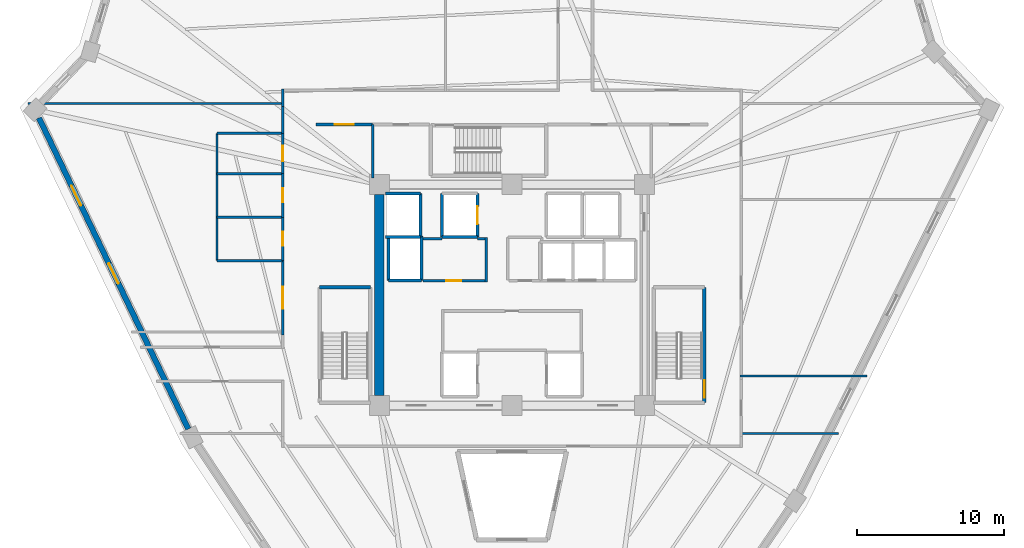
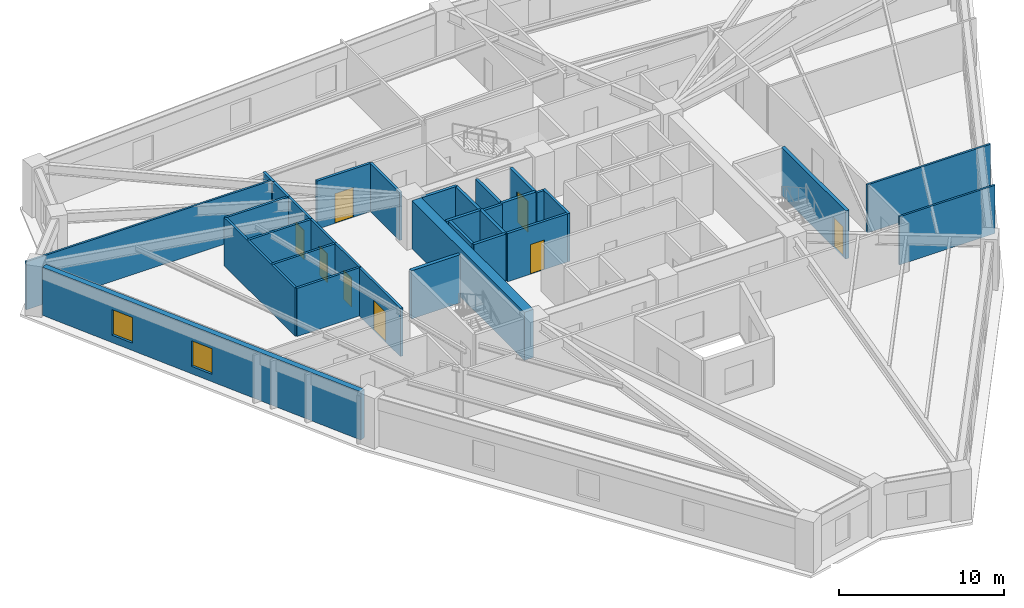
# One storey, part 4 of 8: 33 walls, 8 doors, 2 windows, 10 openings.
"""IFC4 building model written with IfcOpenShell, lengths in metres."""

from ifc_helpers import new_model, si_unit, direction, frame, frame_2d, origin, place, context, subcontext, project, spatial, rectangle, extrude, source, transform, mapped, material, layer, layer_set, type_object, element, fill, save


model = new_model("IFC4")

# Units and contexts
model_context = context("Model", 3, precision=1e-05, world=origin(), true_north=direction((0.0, 1.0)))
body_context = subcontext(model_context, "Body", "Model", "MODEL_VIEW")
ifc_project = project(units=[si_unit("LENGTHUNIT", "METRE"), si_unit("AREAUNIT", "SQUARE_METRE"), si_unit("VOLUMEUNIT", "CUBIC_METRE"), si_unit("PLANEANGLEUNIT", "RADIAN"), si_unit("MASSUNIT", "GRAM", prefix="KILO")], contexts=[model_context])

# Site, building, storey
site_placement = place(None, origin())
site = spatial("IfcSite", under=ifc_project, at=site_placement, CompositionType="ELEMENT")
building_placement = place(site_placement, origin())
building = spatial("IfcBuilding", under=site, at=building_placement, Name="Liaohun Quay Tower", CompositionType="ELEMENT")
storey_placement = place(building_placement, frame((0.0, 0.0, 240.0)))
storey = spatial("IfcBuildingStorey", under=building, at=storey_placement, Name="L62", CompositionType="ELEMENT", Elevation=240.0)

# Wall
ifc_material_1 = material(Name="Concrete C55", Category="concrete")
ifc_layer_1 = layer(ifc_material_1, 0.64990234375, Name="Concrete C55", Category="concrete")
ifc_layer_set_1 = layer_set([ifc_layer_1], Name="Concrete C55")
wall_type_1 = type_object("IfcWallType", Name="WAL-COR-Z3", PredefinedType="SHEAR", material=ifc_layer_set_1)
wall_1_placement = place(storey_placement, frame((51.0, 47.175048828125, 0.0), z_axis=(0.0, 0.0, 1.0), x_axis=(0.0, 1.0, 0.0)))
element("IfcWall", 1, at=wall_1_placement, inside=storey, type_object=wall_type_1, Name="L62 Central Core Shear Wall W", PredefinedType="SHEAR", context=body_context, shape_type="SweptSolid", body=[
    extrude(rectangle(XDim=13.64990234375, YDim=0.64990234375, at=frame_2d((6.824951171875, 0.0))), origin(), (0.0, 0.0, 1.0), 3.570068359375),
])

# Wall, openings, windows
ifc_material_2 = material(Name="Precast concrete C50 insulated sandwich", Category="concrete")
ifc_layer_2 = layer(ifc_material_2, 0.3798828125, Name="Precast concrete C50 insulated sandwich", Category="concrete")
ifc_layer_set_2 = layer_set([ifc_layer_2], Name="Precast concrete C50 insulated sandwich")
wall_type_2 = type_object("IfcWallType", Name="WAL-EXT-Z34", PredefinedType="SOLIDWALL", material=ifc_layer_set_2)
wall_2_placement = place(storey_placement, frame((27.89306640625, 66.02490234375, 0.0), z_axis=(0.0, 0.0, 1.0), x_axis=(0.432777471902, -0.901500781926, 0.0)))
wall_2 = element("IfcWall", 2, at=wall_2_placement, inside=storey, type_object=wall_type_2, Name="L62 Brutalist Precast Pier Wall 10", PredefinedType="SOLIDWALL", context=body_context, shape_type="SweptSolid", body=[
    extrude(rectangle(XDim=23.43212890625, YDim=0.3798828125, at=frame_2d((11.716064453125, 0.0))), origin(), (0.0, 0.0, 1.0), 3.570068359375),
])
shared_shape_1 = source(origin(), body_context, "Body", "SweptSolid", [
    extrude(rectangle(XDim=1.5, YDim=1.89990234375, at=frame_2d((0.75, 0.949951171875))), frame((0.0, 0.199951171875, 0.0), z_axis=(0.0, -1.0, 0.0), x_axis=(1.0, 0.0, 0.0)), (0.0, 0.0, 1.0), 0.39990234375),
])
opening_1_placement = place(wall_2_placement, frame((5.10791015625, 0.0, 0.550048828125)))
opening_1 = element("IfcOpeningElement", 3, at=opening_1_placement, cuts=wall_2, Name="Opening W03", PredefinedType="OPENING", context=body_context, shape_type="MappedRepresentation", body=[
    mapped(shared_shape_1, transform((0.0, 0.0, 0.0), x_axis=(1.0, 0.0, 0.0), y_axis=(0.0, 1.0, 0.0), z_axis=(0.0, 0.0, 1.0), scale=1.0)),
])
opening_2_placement = place(wall_2_placement, frame((10.966064453125, 0.0, 0.550048828125)))
opening_2 = element("IfcOpeningElement", 4, at=opening_2_placement, cuts=wall_2, Name="Opening W03", PredefinedType="OPENING", context=body_context, shape_type="MappedRepresentation", body=[
    mapped(shared_shape_1, transform((0.0, 0.0, 0.0), x_axis=(1.0, 0.0, 0.0), y_axis=(0.0, 1.0, 0.0), z_axis=(0.0, 0.0, 1.0), scale=1.0)),
])
ifc_material_3 = material(Name="Triple Low-E argon glazing in thermally broken aluminium", Category="aluminium")
window_type = type_object("IfcWindowType", Name="WIN-PUN-Z3", PartitioningType="DOUBLE_PANEL_VERTICAL", PredefinedType="WINDOW", material=ifc_material_3)
shared_shape_2 = source(origin(), body_context, "Body", "SweptSolid", [
    extrude(rectangle(XDim=1.5, YDim=1.89990234375, at=frame_2d((0.75, 0.949951171875))), frame((0.0, 0.030029296875, 0.0), z_axis=(0.0, -1.0, 0.0), x_axis=(1.0, 0.0, 0.0)), (0.0, 0.0, 1.0), 0.06005859375),
])
window_1_placement = place(opening_1_placement, origin())
window_1 = element("IfcWindow", 5, at=window_1_placement, inside=storey, type_object=window_type, Name="L62 Recessed Cold-Climate Punched Window 10-1", OverallHeight=1.89990234375, OverallWidth=1.5, PartitioningType="DOUBLE_PANEL_VERTICAL", PredefinedType="WINDOW", context=body_context, shape_type="MappedRepresentation", body=[
    mapped(shared_shape_2, transform((0.0, 0.0, 0.0), x_axis=(1.0, 0.0, 0.0), y_axis=(0.0, 1.0, 0.0), z_axis=(0.0, 0.0, 1.0), scale=1.0)),
])
fill(opening_1, window_1)
window_2_placement = place(opening_2_placement, origin())
window_2 = element("IfcWindow", 6, at=window_2_placement, inside=storey, type_object=window_type, Name="L62 Recessed Cold-Climate Punched Window 10-2", OverallHeight=1.89990234375, OverallWidth=1.5, PartitioningType="DOUBLE_PANEL_VERTICAL", PredefinedType="WINDOW", context=body_context, shape_type="MappedRepresentation", body=[
    mapped(shared_shape_2, transform((0.0, 0.0, 0.0), x_axis=(1.0, 0.0, 0.0), y_axis=(0.0, 1.0, 0.0), z_axis=(0.0, 0.0, 1.0), scale=1.0)),
])
fill(opening_2, window_2)

# Wall, opening, door
ifc_material_4 = material(Name="Autoclaved aerated concrete blockwork", Category="masonry")
ifc_layer_3 = layer(ifc_material_4, 0.179931640625, Name="Autoclaved aerated concrete blockwork", Category="masonry")
ifc_layer_set_3 = layer_set([ifc_layer_3], Name="Autoclaved aerated concrete blockwork")
wall_type_3 = type_object("IfcWallType", Name="WAL-PRT-COR", PredefinedType="PARTITIONING", material=ifc_layer_set_3)
wall_3_placement = place(storey_placement, frame((53.949951171875, 54.97998046875, 0.0), z_axis=(0.0, 0.0, 1.0), x_axis=(1.0, 0.0, 0.0)))
wall_3 = element("IfcWall", 7, at=wall_3_placement, inside=storey, type_object=wall_type_3, Name="L62 Interior Partition Wall 002", PredefinedType="PARTITIONING", context=body_context, shape_type="SweptSolid", body=[
    extrude(rectangle(XDim=4.2099609375, YDim=0.179931640625, at=frame_2d((2.10498046875, 0.0))), origin(), (0.0, 0.0, 1.0), 3.570068359375),
])
shared_shape_3 = source(origin(), body_context, "Body", "SweptSolid", [
    extrude(rectangle(XDim=1.0, YDim=2.199951171875, at=frame_2d((0.5, 1.10009765625))), frame((0.0, 0.099853515625, 0.0), z_axis=(0.0, -1.0, 0.0), x_axis=(1.0, 0.0, 0.0)), (0.0, 0.0, 1.0), 0.199951171875),
])
opening_3_placement = place(wall_3_placement, frame((1.60009765625, 0.0, 0.0)))
opening_3 = element("IfcOpeningElement", 8, at=opening_3_placement, cuts=wall_3, Name="Opening OD1", PredefinedType="OPENING", context=body_context, shape_type="MappedRepresentation", body=[
    mapped(shared_shape_3, transform((0.0, 0.0, 0.0), x_axis=(1.0, 0.0, 0.0), y_axis=(0.0, 1.0, 0.0), z_axis=(0.0, 0.0, 1.0), scale=1.0)),
])
ifc_material_5 = material(Name="Solid-core oak veneer timber leaf in steel frame", Category="steel")
door_type_1 = type_object("IfcDoorType", Name="DOR-OFF-1000", OperationType="NOTDEFINED", PredefinedType="DOOR", material=ifc_material_5)
shared_shape_4 = source(origin(), body_context, "Body", "SweptSolid", [
    extrude(rectangle(XDim=1.0, YDim=2.199951171875, at=frame_2d((0.5, 1.10009765625))), frame((0.0, 0.02490234375, 0.0), z_axis=(0.0, -1.0, 0.0), x_axis=(1.0, 0.0, 0.0)), (0.0, 0.0, 1.0), 0.050048828125),
])
door_1_placement = place(opening_3_placement, origin())
door_1 = element("IfcDoor", 9, at=door_1_placement, inside=storey, type_object=door_type_1, Name="L62 Core Staff Pantry and Tea Room Door", OperationType="SINGLE_SWING_RIGHT", OverallHeight=2.199951171875, OverallWidth=1.0, PredefinedType="DOOR", context=body_context, shape_type="MappedRepresentation", body=[
    mapped(shared_shape_4, transform((0.0, 0.0, 0.0), x_axis=(1.0, 0.0, 0.0), y_axis=(0.0, 1.0, 0.0), z_axis=(0.0, 0.0, 1.0), scale=1.0)),
])
fill(opening_3, door_1)

wall_4_placement = place(storey_placement, frame((46.699951171875, 65.580078125, 0.0), z_axis=(0.0, 0.0, 1.0), x_axis=(1.0, 0.0, 0.0)))
wall_4 = element("IfcWall", 10, at=wall_4_placement, inside=storey, type_object=wall_type_3, Name="L62 Interior Partition Wall 009", PredefinedType="PARTITIONING", context=body_context, shape_type="SweptSolid", body=[
    extrude(rectangle(XDim=3.840087890625, YDim=0.179931640625, at=frame_2d((1.919921875, 0.0))), origin(), (0.0, 0.0, 1.0), 3.570068359375),
])
shared_shape_5 = source(origin(), body_context, "Body", "SweptSolid", [
    extrude(rectangle(XDim=1.300048828125, YDim=2.199951171875, at=frame_2d((0.64990234375, 1.10009765625))), frame((0.0, 0.099853515625, 0.0), z_axis=(0.0, -1.0, 0.0), x_axis=(1.0, 0.0, 0.0)), (0.0, 0.0, 1.0), 0.199951171875),
])
opening_4_placement = place(wall_4_placement, frame((1.27001953125, 0.0, 0.0)))
opening_4 = element("IfcOpeningElement", 11, at=opening_4_placement, cuts=wall_4, Name="Opening FD1", PredefinedType="OPENING", context=body_context, shape_type="MappedRepresentation", body=[
    mapped(shared_shape_5, transform((0.0, 0.0, 0.0), x_axis=(1.0, 0.0, 0.0), y_axis=(0.0, 1.0, 0.0), z_axis=(0.0, 0.0, 1.0), scale=1.0)),
])
ifc_material_6 = material(Name="Galvanised steel smokeproof fire door", Category="steel")
door_type_2 = type_object("IfcDoorType", Name="DOR-FFL-1300", OperationType="NOTDEFINED", PredefinedType="DOOR", material=ifc_material_6)
shared_shape_6 = source(origin(), body_context, "Body", "SweptSolid", [
    extrude(rectangle(XDim=1.300048828125, YDim=2.199951171875, at=frame_2d((0.64990234375, 1.10009765625))), frame((0.0, 0.02490234375, 0.0), z_axis=(0.0, -1.0, 0.0), x_axis=(1.0, 0.0, 0.0)), (0.0, 0.0, 1.0), 0.050048828125),
])
door_2_placement = place(opening_4_placement, origin())
door_2 = element("IfcDoor", 12, at=door_2_placement, inside=storey, type_object=door_type_2, Name="L62 West Core Vestibule Door", OperationType="SINGLE_SWING_LEFT", OverallHeight=2.199951171875, OverallWidth=1.300048828125, PredefinedType="DOOR", context=body_context, shape_type="MappedRepresentation", body=[
    mapped(shared_shape_6, transform((0.0, 0.0, 0.0), x_axis=(1.0, 0.0, 0.0), y_axis=(0.0, 1.0, 0.0), z_axis=(0.0, 0.0, 1.0), scale=1.0)),
])
fill(opening_4, door_2)

wall_5_placement = place(storey_placement, frame((44.43994140625, 51.284912109375, 0.0), z_axis=(0.0, 0.0, 1.0), x_axis=(0.0, 1.0, 0.0)))
wall_5 = element("IfcWall", 13, at=wall_5_placement, inside=storey, type_object=wall_type_3, Name="L62 Interior Partition Wall 016", PredefinedType="PARTITIONING", context=body_context, shape_type="SweptSolid", body=[
    extrude(rectangle(XDim=5.05517578125, YDim=0.179931640625, at=frame_2d((2.527587890625, 0.0))), origin(), (0.0, 0.0, 1.0), 3.570068359375),
])
shared_shape_7 = source(origin(), body_context, "Body", "SweptSolid", [
    extrude(rectangle(XDim=1.5, YDim=2.199951171875, at=frame_2d((0.75, 1.10009765625))), frame((0.0, 0.099853515625, 0.0), z_axis=(0.0, -1.0, 0.0), x_axis=(1.0, 0.0, 0.0)), (0.0, 0.0, 1.0), 0.199951171875),
])
opening_5_placement = place(wall_5_placement, frame((1.778076171875, 0.0, 0.0)))
opening_5 = element("IfcOpeningElement", 14, at=opening_5_placement, cuts=wall_5, Name="Opening OD2", PredefinedType="OPENING", context=body_context, shape_type="MappedRepresentation", body=[
    mapped(shared_shape_7, transform((0.0, 0.0, 0.0), x_axis=(1.0, 0.0, 0.0), y_axis=(0.0, 1.0, 0.0), z_axis=(0.0, 0.0, 1.0), scale=1.0)),
])
ifc_material_7 = material(Name="Acoustic oak veneer double door")
door_type_3 = type_object("IfcDoorType", Name="DOR-OFF-1500", OperationType="DOUBLE_DOOR_SINGLE_SWING", PredefinedType="DOOR", material=ifc_material_7)
shared_shape_8 = source(origin(), body_context, "Body", "SweptSolid", [
    extrude(rectangle(XDim=1.5, YDim=2.199951171875, at=frame_2d((0.75, 1.10009765625))), frame((0.0, 0.02490234375, 0.0), z_axis=(0.0, -1.0, 0.0), x_axis=(1.0, 0.0, 0.0)), (0.0, 0.0, 1.0), 0.050048828125),
])
door_3_placement = place(opening_5_placement, origin())
door_3 = element("IfcDoor", 15, at=door_3_placement, inside=storey, type_object=door_type_3, Name="L62 Staff Tea Kitchen and Pantry 06 Door", OperationType="DOUBLE_DOOR_SINGLE_SWING", OverallHeight=2.199951171875, OverallWidth=1.5, PredefinedType="DOOR", context=body_context, shape_type="MappedRepresentation", body=[
    mapped(shared_shape_8, transform((0.0, 0.0, 0.0), x_axis=(1.0, 0.0, 0.0), y_axis=(0.0, 1.0, 0.0), z_axis=(0.0, 0.0, 1.0), scale=1.0)),
])
fill(opening_5, door_3)

# Walls
wall_6_placement = place(storey_placement, frame((50.5400390625, 61.949951171875, 0.0), z_axis=(0.0, 0.0, 1.0), x_axis=(0.0, 1.0, 0.0)))
element("IfcWall", 16, at=wall_6_placement, inside=storey, type_object=wall_type_3, Name="L62 Interior Partition Wall 029", PredefinedType="PARTITIONING", context=body_context, shape_type="SweptSolid", body=[
    extrude(rectangle(XDim=3.630126953125, YDim=0.179931640625, at=frame_2d((1.81494140625, 0.0))), origin(), (0.0, 0.0, 1.0), 3.570068359375),
])
wall_7_placement = place(storey_placement, frame((44.43994140625, 66.784912109375, 0.0), z_axis=(0.0, 0.0, 1.0), x_axis=(0.0, 1.0, 0.0)))
element("IfcWall", 17, at=wall_7_placement, inside=storey, type_object=wall_type_3, Name="L62 Interior Partition Wall 034", PredefinedType="PARTITIONING", context=body_context, shape_type="SweptSolid", body=[
    extrude(rectangle(XDim=1.195068359375, YDim=0.179931640625, at=frame_2d((0.59765625, 0.0))), origin(), (0.0, 0.0, 1.0), 3.570068359375),
])
wall_8_placement = place(storey_placement, frame((44.43994140625, 64.97998046875, 0.0), z_axis=(0.0, 0.0, 1.0), x_axis=(0.0, 1.0, 0.0)))
element("IfcWall", 18, at=wall_8_placement, inside=storey, type_object=wall_type_3, Name="L62 Interior Partition Wall 035", PredefinedType="PARTITIONING", context=body_context, shape_type="SweptSolid", body=[
    extrude(rectangle(XDim=1.804931640625, YDim=0.179931640625, at=frame_2d((0.90234375, 0.0))), origin(), (0.0, 0.0, 1.0), 3.570068359375),
])
wall_9_placement = place(storey_placement, frame((58.25, 54.889892578125, 0.0), z_axis=(0.0, 0.0, 1.0), x_axis=(0.0, 1.0, 0.0)))
element("IfcWall", 19, at=wall_9_placement, inside=storey, type_object=wall_type_3, Name="L62 Interior Partition Wall 051", PredefinedType="PARTITIONING", context=body_context, shape_type="SweptSolid", body=[
    extrude(rectangle(XDim=3.02001953125, YDim=0.179931640625, at=frame_2d((1.510009765625, 0.0))), origin(), (0.0, 0.0, 1.0), 3.570068359375),
])
wall_10_placement = place(storey_placement, frame((53.949951171875, 57.820068359375, 0.0), z_axis=(0.0, 0.0, 1.0), x_axis=(1.0, 0.0, 0.0)))
element("IfcWall", 20, at=wall_10_placement, inside=storey, type_object=wall_type_3, Name="L62 Interior Partition Wall 052", PredefinedType="PARTITIONING", context=body_context, shape_type="SweptSolid", body=[
    extrude(rectangle(XDim=1.300048828125, YDim=0.179931640625, at=frame_2d((0.64990234375, 0.0))), origin(), (0.0, 0.0, 1.0), 3.570068359375),
])
wall_11_placement = place(storey_placement, frame((57.64990234375, 57.820068359375, 0.0), z_axis=(0.0, 0.0, 1.0), x_axis=(1.0, 0.0, 0.0)))
element("IfcWall", 21, at=wall_11_placement, inside=storey, type_object=wall_type_3, Name="L62 Interior Partition Wall 053", PredefinedType="PARTITIONING", context=body_context, shape_type="SweptSolid", body=[
    extrude(rectangle(XDim=0.510009765625, YDim=0.179931640625, at=frame_2d((0.2548828125, 0.0))), origin(), (0.0, 0.0, 1.0), 3.570068359375),
])
ifc_material_8 = material(Name="Gypsum board on twin steel studs", Category="steel")
ifc_layer_4 = layer(ifc_material_8, 0.139892578125, Name="Gypsum board on twin steel studs", Category="steel")
ifc_layer_set_4 = layer_set([ifc_layer_4], Name="Gypsum board on twin steel studs")
wall_type_4 = type_object("IfcWallType", Name="WAL-PRT-OFF", PredefinedType="PARTITIONING", material=ifc_layer_set_4)
wall_12_placement = place(storey_placement, frame((44.5400390625, 67.0, 0.0), z_axis=(0.0, 0.0, 1.0), x_axis=(-1.0, 0.0, 0.0)))
element("IfcWall", 22, at=wall_12_placement, inside=storey, type_object=wall_type_4, Name="L62 Interior Partition Wall 042", PredefinedType="PARTITIONING", context=body_context, shape_type="SweptSolid", body=[
    extrude(rectangle(XDim=17.382080078125, YDim=0.139892578125, at=frame_2d((8.69091796875, 0.0))), origin(), (0.0, 0.0, 1.0), 3.570068359375),
])
wall_13_placement = place(storey_placement, frame((75.4599609375, 44.60009765625, 0.0), z_axis=(0.0, 0.0, 1.0), x_axis=(1.0, 0.0, 0.0)))
element("IfcWall", 23, at=wall_13_placement, inside=storey, type_object=wall_type_4, Name="L62 Interior Partition Wall 043", PredefinedType="PARTITIONING", context=body_context, shape_type="SweptSolid", body=[
    extrude(rectangle(XDim=6.716064453125, YDim=0.139892578125, at=frame_2d((3.35791015625, 0.0))), origin(), (0.0, 0.0, 1.0), 3.570068359375),
])
wall_14_placement = place(storey_placement, frame((75.4599609375, 48.5, 0.0), z_axis=(0.0, 0.0, 1.0), x_axis=(1.0, 0.0, 0.0)))
element("IfcWall", 24, at=wall_14_placement, inside=storey, type_object=wall_type_4, Name="L62 Interior Partition Wall 044", PredefinedType="PARTITIONING", context=body_context, shape_type="SweptSolid", body=[
    extrude(rectangle(XDim=8.64794921875, YDim=0.139892578125, at=frame_2d((4.323974609375, 0.0))), origin(), (0.0, 0.0, 1.0), 3.570068359375),
])

# Wall, opening, door
ifc_material_9 = material(Name="Moisture-resistant masonry blockwork", Category="masonry")
ifc_layer_5 = layer(ifc_material_9, 0.159912109375, Name="Moisture-resistant masonry blockwork", Category="masonry")
ifc_layer_set_5 = layer_set([ifc_layer_5], Name="Moisture-resistant masonry blockwork")
wall_type_5 = type_object("IfcWallType", Name="WAL-PRT-WET", PredefinedType="PARTITIONING", material=ifc_layer_set_5)
wall_15_placement = place(storey_placement, frame((44.43994140625, 56.340087890625, 0.0), z_axis=(0.0, 0.0, 1.0), x_axis=(0.0, 1.0, 0.0)))
wall_15 = element("IfcWall", 25, at=wall_15_placement, inside=storey, type_object=wall_type_5, Name="L62 Interior Partition Wall 004", PredefinedType="PARTITIONING", context=body_context, shape_type="SweptSolid", body=[
    extrude(rectangle(XDim=2.93994140625, YDim=0.159912109375, at=frame_2d((1.469970703125, 0.0))), origin(), (0.0, 0.0, 1.0), 3.570068359375),
])
shared_shape_9 = source(origin(), body_context, "Body", "SweptSolid", [
    extrude(rectangle(XDim=0.949951171875, YDim=2.14990234375, at=frame_2d((0.47509765625, 1.074951171875))), frame((0.0, 0.08984375, 0.0), z_axis=(0.0, -1.0, 0.0), x_axis=(1.0, 0.0, 0.0)), (0.0, 0.0, 1.0), 0.179931640625),
])
opening_6_placement = place(wall_15_placement, frame((0.9951171875, 0.0, 0.0)))
opening_6 = element("IfcOpeningElement", 26, at=opening_6_placement, cuts=wall_15, Name="Opening WD1", PredefinedType="OPENING", context=body_context, shape_type="MappedRepresentation", body=[
    mapped(shared_shape_9, transform((0.0, 0.0, 0.0), x_axis=(1.0, 0.0, 0.0), y_axis=(0.0, 1.0, 0.0), z_axis=(0.0, 0.0, 1.0), scale=1.0)),
])
ifc_material_10 = material(Name="Moisture-resistant laminate timber leaf", Category="wood")
door_type_4 = type_object("IfcDoorType", Name="DOR-WC-950", OperationType="NOTDEFINED", PredefinedType="DOOR", material=ifc_material_10)
shared_shape_10 = source(origin(), body_context, "Body", "SweptSolid", [
    extrude(rectangle(XDim=0.949951171875, YDim=2.14990234375, at=frame_2d((0.47509765625, 1.074951171875))), frame((0.0, 0.02490234375, 0.0), z_axis=(0.0, -1.0, 0.0), x_axis=(1.0, 0.0, 0.0)), (0.0, 0.0, 1.0), 0.050048828125),
])
door_4_placement = place(opening_6_placement, origin())
door_4 = element("IfcDoor", 27, at=door_4_placement, inside=storey, type_object=door_type_4, Name="L62 Male Restroom WC Door", OperationType="SINGLE_SWING_RIGHT", OverallHeight=2.14990234375, OverallWidth=0.949951171875, PredefinedType="DOOR", context=body_context, shape_type="MappedRepresentation", body=[
    mapped(shared_shape_10, transform((0.0, 0.0, 0.0), x_axis=(1.0, 0.0, 0.0), y_axis=(0.0, 1.0, 0.0), z_axis=(0.0, 0.0, 1.0), scale=1.0)),
])
fill(opening_6, door_4)

wall_16_placement = place(storey_placement, frame((44.43994140625, 59.280029296875, 0.0), z_axis=(0.0, 0.0, 1.0), x_axis=(0.0, 1.0, 0.0)))
wall_16 = element("IfcWall", 28, at=wall_16_placement, inside=storey, type_object=wall_type_5, Name="L62 Interior Partition Wall 005", PredefinedType="PARTITIONING", context=body_context, shape_type="SweptSolid", body=[
    extrude(rectangle(XDim=2.9599609375, YDim=0.159912109375, at=frame_2d((1.47998046875, 0.0))), origin(), (0.0, 0.0, 1.0), 3.570068359375),
])
opening_7_placement = place(wall_16_placement, frame((1.0048828125, 0.0, 0.0)))
opening_7 = element("IfcOpeningElement", 29, at=opening_7_placement, cuts=wall_16, Name="Opening WD1", PredefinedType="OPENING", context=body_context, shape_type="MappedRepresentation", body=[
    mapped(shared_shape_9, transform((0.0, 0.0, 0.0), x_axis=(1.0, 0.0, 0.0), y_axis=(0.0, 1.0, 0.0), z_axis=(0.0, 0.0, 1.0), scale=1.0)),
])
door_5_placement = place(opening_7_placement, origin())
door_5 = element("IfcDoor", 30, at=door_5_placement, inside=storey, type_object=door_type_4, Name="L62 Female Restroom WC Door", OperationType="SINGLE_SWING_LEFT", OverallHeight=2.14990234375, OverallWidth=0.949951171875, PredefinedType="DOOR", context=body_context, shape_type="MappedRepresentation", body=[
    mapped(shared_shape_10, transform((0.0, 0.0, 0.0), x_axis=(1.0, 0.0, 0.0), y_axis=(0.0, 1.0, 0.0), z_axis=(0.0, 0.0, 1.0), scale=1.0)),
])
fill(opening_7, door_5)

wall_17_placement = place(storey_placement, frame((44.43994140625, 62.239990234375, 0.0), z_axis=(0.0, 0.0, 1.0), x_axis=(0.0, 1.0, 0.0)))
wall_17 = element("IfcWall", 31, at=wall_17_placement, inside=storey, type_object=wall_type_5, Name="L62 Interior Partition Wall 006", PredefinedType="PARTITIONING", context=body_context, shape_type="SweptSolid", body=[
    extrude(rectangle(XDim=2.739990234375, YDim=0.159912109375, at=frame_2d((1.3701171875, 0.0))), origin(), (0.0, 0.0, 1.0), 3.570068359375),
])
shared_shape_11 = source(origin(), body_context, "Body", "SweptSolid", [
    extrude(rectangle(XDim=1.050048828125, YDim=2.14990234375, at=frame_2d((0.52490234375, 1.074951171875))), frame((0.0, 0.08984375, 0.0), z_axis=(0.0, -1.0, 0.0), x_axis=(1.0, 0.0, 0.0)), (0.0, 0.0, 1.0), 0.179931640625),
])
opening_8_placement = place(wall_17_placement, frame((0.844970703125, 0.0, 0.0)))
opening_8 = element("IfcOpeningElement", 32, at=opening_8_placement, cuts=wall_17, Name="Opening WD2", PredefinedType="OPENING", context=body_context, shape_type="MappedRepresentation", body=[
    mapped(shared_shape_11, transform((0.0, 0.0, 0.0), x_axis=(1.0, 0.0, 0.0), y_axis=(0.0, 1.0, 0.0), z_axis=(0.0, 0.0, 1.0), scale=1.0)),
])
ifc_material_11 = material(Name="Accessible outward-swinging laminate door")
door_type_5 = type_object("IfcDoorType", Name="DOR-AWC-1050", OperationType="NOTDEFINED", PredefinedType="DOOR", material=ifc_material_11)
shared_shape_12 = source(origin(), body_context, "Body", "SweptSolid", [
    extrude(rectangle(XDim=1.050048828125, YDim=2.14990234375, at=frame_2d((0.52490234375, 1.074951171875))), frame((0.0, 0.02490234375, 0.0), z_axis=(0.0, -1.0, 0.0), x_axis=(1.0, 0.0, 0.0)), (0.0, 0.0, 1.0), 0.050048828125),
])
door_6_placement = place(opening_8_placement, origin())
door_6 = element("IfcDoor", 33, at=door_6_placement, inside=storey, type_object=door_type_5, Name="L62 Accessible WC Door", OperationType="SINGLE_SWING_RIGHT", OverallHeight=2.14990234375, OverallWidth=1.050048828125, PredefinedType="DOOR", context=body_context, shape_type="MappedRepresentation", body=[
    mapped(shared_shape_12, transform((0.0, 0.0, 0.0), x_axis=(1.0, 0.0, 0.0), y_axis=(0.0, 1.0, 0.0), z_axis=(0.0, 0.0, 1.0), scale=1.0)),
])
fill(opening_8, door_6)

# Walls
wall_18_placement = place(storey_placement, frame((39.97998046875, 56.340087890625, 0.0), z_axis=(0.0, 0.0, 1.0), x_axis=(0.0, 1.0, 0.0)))
element("IfcWall", 34, at=wall_18_placement, inside=storey, type_object=wall_type_5, Name="L62 Interior Partition Wall 024", PredefinedType="PARTITIONING", context=body_context, shape_type="SweptSolid", body=[
    extrude(rectangle(XDim=8.639892578125, YDim=0.159912109375, at=frame_2d((4.31982421875, 0.0))), origin(), (0.0, 0.0, 1.0), 3.570068359375),
])
for number, where, z_axis, x_axis, name in (
    (35, (39.97998046875, 56.340087890625, 0.0), (0.0, 0.0, 1.0), (1.0, 0.0, 0.0), "L62 Interior Partition Wall 025"),
    (36, (39.97998046875, 59.280029296875, 0.0), (0.0, 0.0, 1.0), (1.0, 0.0, 0.0), "L62 Interior Partition Wall 026"),
    (37, (39.97998046875, 62.239990234375, 0.0), (0.0, 0.0, 1.0), (1.0, 0.0, 0.0), "L62 Interior Partition Wall 027"),
    (38, (39.97998046875, 64.97998046875, 0.0), (0.0, 0.0, 1.0), (1.0, 0.0, 0.0), "L62 Interior Partition Wall 028"),
):
    element("IfcWall", number, at=place(storey_placement, frame(where, z_axis=z_axis, x_axis=x_axis)), inside=storey, type_object=wall_type_5, Name=name, PredefinedType="PARTITIONING", context=body_context, shape_type="SweptSolid", body=[
        extrude(rectangle(XDim=4.4599609375, YDim=0.159912109375, at=frame_2d((2.22998046875, 0.0))), origin(), (0.0, 0.0, 1.0), 3.570068359375),
    ])
ifc_material_12 = material(Name="Concrete C50", Category="concrete")
ifc_layer_6 = layer(ifc_material_12, 0.239990234375, Name="Concrete C50", Category="concrete")
ifc_layer_set_6 = layer_set([ifc_layer_6], Name="Concrete C50")
wall_type_6 = type_object("IfcWallType", Name="WAL-SHF-200", PredefinedType="SOLIDWALL", material=ifc_layer_set_6)
wall_19_placement = place(storey_placement, frame((50.3798828125, 54.52001953125, 0.0), z_axis=(0.0, 0.0, 1.0), x_axis=(-1.0, 0.0, 0.0)))
element("IfcWall", 39, at=wall_19_placement, inside=storey, type_object=wall_type_6, Name="L62 Stairwell ST-1 Structural Core Wall N", PredefinedType="SOLIDWALL", context=body_context, shape_type="SweptSolid", body=[
    extrude(rectangle(XDim=3.43994140625, YDim=0.239990234375, at=frame_2d((1.719970703125, 0.0))), origin(), (0.0, 0.0, 1.0), 3.570068359375),
])

# Wall, opening, door
wall_20_placement = place(storey_placement, frame((73.06005859375, 46.699951171875, 0.0), z_axis=(0.0, 0.0, 1.0), x_axis=(0.0, 1.0, 0.0)))
wall_20 = element("IfcWall", 40, at=wall_20_placement, inside=storey, type_object=wall_type_6, Name="L62 Stairwell ST-2 Structural Core Wall E", PredefinedType="SOLIDWALL", context=body_context, shape_type="SweptSolid", body=[
    extrude(rectangle(XDim=7.820068359375, YDim=0.239990234375, at=frame_2d((3.91015625, 0.0))), origin(), (0.0, 0.0, 1.0), 3.570068359375),
])
shared_shape_13 = source(origin(), body_context, "Body", "SweptSolid", [
    extrude(rectangle(XDim=1.199951171875, YDim=2.199951171875, at=frame_2d((0.60009765625, 1.10009765625))), frame((0.0, 0.1298828125, 0.0), z_axis=(0.0, -1.0, 0.0), x_axis=(1.0, 0.0, 0.0)), (0.0, 0.0, 1.0), 0.260009765625),
])
opening_9_placement = place(wall_20_placement, frame((0.320068359375, 0.0, 0.0)))
opening_9 = element("IfcOpeningElement", 41, at=opening_9_placement, cuts=wall_20, Name="Opening SD1", PredefinedType="OPENING", context=body_context, shape_type="MappedRepresentation", body=[
    mapped(shared_shape_13, transform((0.0, 0.0, 0.0), x_axis=(1.0, 0.0, 0.0), y_axis=(0.0, 1.0, 0.0), z_axis=(0.0, 0.0, 1.0), scale=1.0)),
])
ifc_material_13 = material(Name="Galvanised steel fire door", Category="steel")
door_type_6 = type_object("IfcDoorType", Name="DOR-STR-1200", OperationType="NOTDEFINED", PredefinedType="DOOR", material=ifc_material_13)
shared_shape_14 = source(origin(), body_context, "Body", "SweptSolid", [
    extrude(rectangle(XDim=1.199951171875, YDim=2.199951171875, at=frame_2d((0.60009765625, 1.10009765625))), frame((0.0, 0.02490234375, 0.0), z_axis=(0.0, -1.0, 0.0), x_axis=(1.0, 0.0, 0.0)), (0.0, 0.0, 1.0), 0.050048828125),
])
door_7_placement = place(opening_9_placement, origin())
door_7 = element("IfcDoor", 42, at=door_7_placement, inside=storey, type_object=door_type_6, Name="L62 Protected Stair ST-2 Fire Door", OperationType="SINGLE_SWING_RIGHT", OverallHeight=2.199951171875, OverallWidth=1.199951171875, PredefinedType="DOOR", context=body_context, shape_type="MappedRepresentation", body=[
    mapped(shared_shape_14, transform((0.0, 0.0, 0.0), x_axis=(1.0, 0.0, 0.0), y_axis=(0.0, 1.0, 0.0), z_axis=(0.0, 0.0, 1.0), scale=1.0)),
])
fill(opening_9, door_7)

# Wall
wall_21_placement = place(storey_placement, frame((55.25, 57.949951171875, 0.0), z_axis=(0.0, 0.0, 1.0), x_axis=(1.0, 0.0, 0.0)))
element("IfcWall", 43, at=wall_21_placement, inside=storey, type_object=wall_type_6, Name="L62 Lift FF-03 Hoistway Wall S", PredefinedType="SOLIDWALL", context=body_context, shape_type="SweptSolid", body=[
    extrude(rectangle(XDim=2.39990234375, YDim=0.199951171875, at=frame_2d((1.199951171875, 0.0))), origin(), (0.0, 0.0, 1.0), 3.570068359375),
])

# Wall, opening, door
wall_22_placement = place(storey_placement, frame((57.64990234375, 57.949951171875, 0.0), z_axis=(0.0, 0.0, 1.0), x_axis=(0.0, 1.0, 0.0)))
wall_22 = element("IfcWall", 44, at=wall_22_placement, inside=storey, type_object=wall_type_6, Name="L62 Lift FF-03 Hoistway Wall E", PredefinedType="SOLIDWALL", context=body_context, shape_type="SweptSolid", body=[
    extrude(rectangle(XDim=2.929931640625, YDim=0.199951171875, at=frame_2d((1.46484375, 0.0))), origin(), (0.0, 0.0, 1.0), 3.570068359375),
])
shared_shape_15 = source(origin(), body_context, "Body", "SweptSolid", [
    extrude(rectangle(XDim=1.199951171875, YDim=2.300048828125, at=frame_2d((0.60009765625, 1.14990234375))), frame((0.0, 0.10986328125, 0.0), z_axis=(0.0, -1.0, 0.0), x_axis=(1.0, 0.0, 0.0)), (0.0, 0.0, 1.0), 0.219970703125),
])
opening_10_placement = place(wall_22_placement, frame((0.864990234375, 0.0, 0.0)))
opening_10 = element("IfcOpeningElement", 45, at=opening_10_placement, cuts=wall_22, Name="Opening LD2", PredefinedType="OPENING", context=body_context, shape_type="MappedRepresentation", body=[
    mapped(shared_shape_15, transform((0.0, 0.0, 0.0), x_axis=(1.0, 0.0, 0.0), y_axis=(0.0, 1.0, 0.0), z_axis=(0.0, 0.0, 1.0), scale=1.0)),
])
ifc_material_14 = material(Name="Brushed stainless steel stretcher landing door", Category="steel")
door_type_7 = type_object("IfcDoorType", Name="DOR-LFT-1200", OperationType="SLIDING_TO_LEFT", PredefinedType="DOOR", material=ifc_material_14)
shared_shape_16 = source(origin(), body_context, "Body", "SweptSolid", [
    extrude(rectangle(XDim=1.199951171875, YDim=2.300048828125, at=frame_2d((0.60009765625, 1.14990234375))), frame((0.0, 0.02490234375, 0.0), z_axis=(0.0, -1.0, 0.0), x_axis=(1.0, 0.0, 0.0)), (0.0, 0.0, 1.0), 0.050048828125),
])
door_8_placement = place(opening_10_placement, origin())
door_8 = element("IfcDoor", 46, at=door_8_placement, inside=storey, type_object=door_type_7, Name="L62 Lift FF-03 Sliding Landing Door", OperationType="SLIDING_TO_LEFT", OverallHeight=2.300048828125, OverallWidth=1.199951171875, PredefinedType="DOOR", context=body_context, shape_type="MappedRepresentation", body=[
    mapped(shared_shape_16, transform((0.0, 0.0, 0.0), x_axis=(1.0, 0.0, 0.0), y_axis=(0.0, 1.0, 0.0), z_axis=(0.0, 0.0, 1.0), scale=1.0)),
])
fill(opening_10, door_8)

# Walls
wall_23_placement = place(storey_placement, frame((55.25, 60.8798828125, 0.0), z_axis=(0.0, 0.0, 1.0), x_axis=(0.0, -1.0, 0.0)))
element("IfcWall", 47, at=wall_23_placement, inside=storey, type_object=wall_type_6, Name="L62 Lift FF-03 Hoistway Wall W", PredefinedType="SOLIDWALL", context=body_context, shape_type="SweptSolid", body=[
    extrude(rectangle(XDim=2.929931640625, YDim=0.199951171875, at=frame_2d((1.46484375, 0.0))), origin(), (0.0, 0.0, 1.0), 3.570068359375),
])
wall_24_placement = place(storey_placement, frame((51.39990234375, 57.949951171875, 0.0), z_axis=(0.0, 0.0, 1.0), x_axis=(1.0, 0.0, 0.0)))
element("IfcWall", 48, at=wall_24_placement, inside=storey, type_object=wall_type_6, Name="L62 Lift SH-01 Hoistway Wall S", PredefinedType="SOLIDWALL", context=body_context, shape_type="SweptSolid", body=[
    extrude(rectangle(XDim=2.400146484375, YDim=0.199951171875, at=frame_2d((1.2001953125, 0.0))), origin(), (0.0, 0.0, 1.0), 3.570068359375),
])
wall_25_placement = place(storey_placement, frame((53.800048828125, 57.949951171875, 0.0), z_axis=(0.0, 0.0, 1.0), x_axis=(0.0, 1.0, 0.0)))
element("IfcWall", 49, at=wall_25_placement, inside=storey, type_object=wall_type_6, Name="L62 Lift SH-01 Hoistway Wall E", PredefinedType="SOLIDWALL", context=body_context, shape_type="SweptSolid", body=[
    extrude(rectangle(XDim=2.929931640625, YDim=0.199951171875, at=frame_2d((1.46484375, 0.0))), origin(), (0.0, 0.0, 1.0), 3.570068359375),
])
wall_26_placement = place(storey_placement, frame((53.800048828125, 60.8798828125, 0.0), z_axis=(0.0, 0.0, 1.0), x_axis=(-1.0, 0.0, 0.0)))
element("IfcWall", 50, at=wall_26_placement, inside=storey, type_object=wall_type_6, Name="L62 Lift SH-01 Hoistway Wall N", PredefinedType="SOLIDWALL", context=body_context, shape_type="SweptSolid", body=[
    extrude(rectangle(XDim=2.400146484375, YDim=0.199951171875, at=frame_2d((1.2001953125, 0.0))), origin(), (0.0, 0.0, 1.0), 3.570068359375),
])
wall_27_placement = place(storey_placement, frame((51.6201171875, 55.0, 0.0), z_axis=(0.0, 0.0, 1.0), x_axis=(1.0, 0.0, 0.0)))
element("IfcWall", 51, at=wall_27_placement, inside=storey, type_object=wall_type_6, Name="L62 Lift SH-02 Hoistway Wall S", PredefinedType="SOLIDWALL", context=body_context, shape_type="SweptSolid", body=[
    extrude(rectangle(XDim=2.22998046875, YDim=0.199951171875, at=frame_2d((1.114990234375, 0.0))), origin(), (0.0, 0.0, 1.0), 3.570068359375),
])
for number, where, z_axis, x_axis, name in (
    (52, (53.85009765625, 55.0, 0.0), (0.0, 0.0, 1.0), (0.0, 1.0, 0.0), "L62 Lift SH-02 Hoistway Wall E"),
    (53, (51.6201171875, 58.0, 0.0), (0.0, 0.0, 1.0), (0.0, -1.0, 0.0), "L62 Lift SH-02 Hoistway Wall W"),
):
    element("IfcWall", number, at=place(storey_placement, frame(where, z_axis=z_axis, x_axis=x_axis)), inside=storey, type_object=wall_type_6, Name=name, PredefinedType="SOLIDWALL", context=body_context, shape_type="SweptSolid", body=[
        extrude(rectangle(XDim=3.0, YDim=0.199951171875, at=frame_2d((1.5, 0.0))), origin(), (0.0, 0.0, 1.0), 3.570068359375),
    ])

save(model, "model.ifc")
